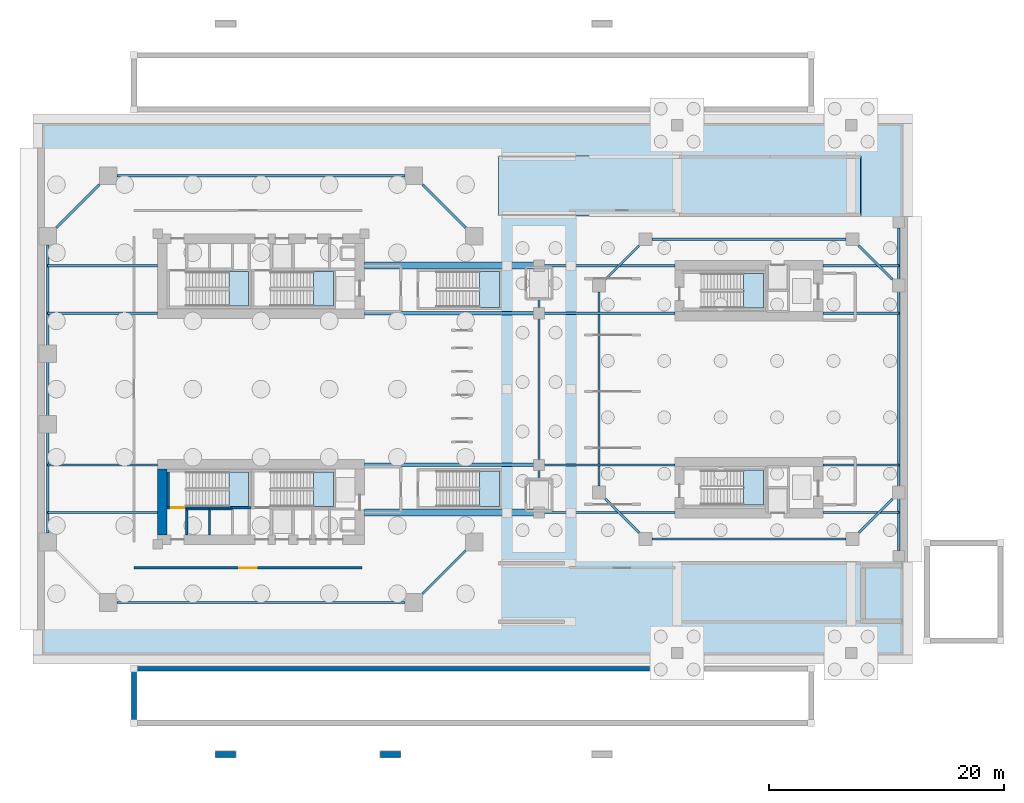
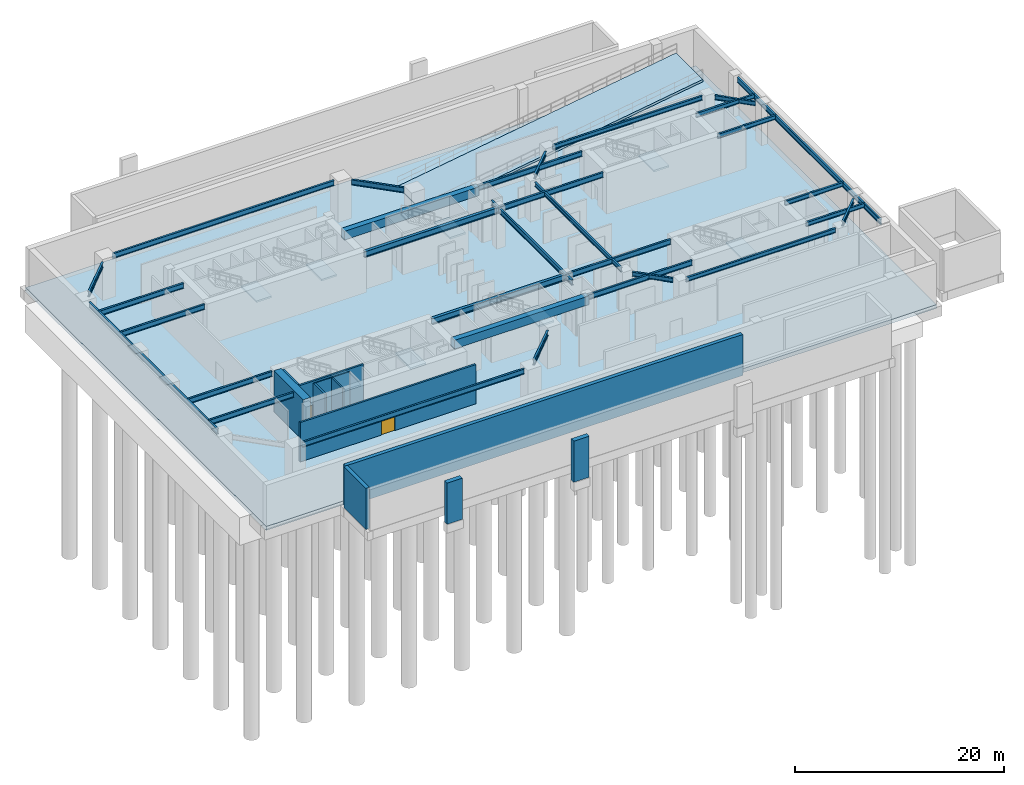
# One storey, part 3 of 13: 31 beams, 12 walls, 10 slabs, 2 doors, 2 openings, 8 elements without a shape of their own.
"""IFC4 building model written with IfcOpenShell, lengths in metres."""

from ifc_helpers import new_model, si_unit, direction, frame, frame_2d, origin, origin_2d, place, context, subcontext, project, spatial, polyline, rectangle, i_section, outline, extrude, source, transform, mapped, material, layer, layer_set, material_profile, profile_set, type_object, element, fill, aggregate, save


model = new_model("IFC4")

# Units and contexts
model_context = context("Model", 3, precision=1e-05, world=origin(), true_north=direction((0.0, 1.0)))
body_context = subcontext(model_context, "Body", "Model", "MODEL_VIEW")
ifc_project = project(units=[si_unit("LENGTHUNIT", "METRE"), si_unit("AREAUNIT", "SQUARE_METRE"), si_unit("VOLUMEUNIT", "CUBIC_METRE"), si_unit("PLANEANGLEUNIT", "RADIAN"), si_unit("MASSUNIT", "GRAM", prefix="KILO"), si_unit("THERMODYNAMICTEMPERATUREUNIT", "KELVIN"), si_unit("POWERUNIT", "WATT")], contexts=[model_context])

# Site, building, storey
site_placement = place(None, origin())
site = spatial("IfcSite", under=ifc_project, at=site_placement, CompositionType="ELEMENT")
building_placement = place(site_placement, origin())
building = spatial("IfcBuilding", under=site, at=building_placement, Name="Qiaomeng Ring Towers", CompositionType="ELEMENT")
storey_placement = place(building_placement, frame((0.0, 0.0, -9.60009765625)))
storey = spatial("IfcBuildingStorey", under=building, at=storey_placement, Name="B2", CompositionType="ELEMENT", Elevation=-9.60009765625)

# Beams
ifc_material_1 = material(Name="Concrete C60", Category="concrete")
ifc_material_profile_1 = material_profile(ifc_material_1, rectangle(XDim=0.60009765625, YDim=1.0, at=origin_2d()), Name="RC BM 600x1000")
ifc_profile_set_1 = profile_set([ifc_material_profile_1], Name="Concrete C60")
beam_type_1 = type_object("IfcBeamType", Name="STR-BM-RC1000", PredefinedType="LINTEL", material=ifc_profile_set_1)
shared_shape_1 = source(origin(), body_context, "Body", "SweptSolid", [
    extrude(rectangle(XDim=0.60009765625, YDim=1.0, at=origin_2d()), origin(), (0.0, 0.0, 1.0), 14.849853515625),
])
for number, where, z_axis, x_axis, name in (
    (1, (27.800048828125, 33.5, 4.080078125), (1.0, 0.0, 0.0), (0.0, 1.0, 0.0), "B2 beam STR-CB-B2-T1N"),
    (2, (27.800048828125, 12.5, 4.080078125), (1.0, 0.0, 0.0), (0.0, 1.0, 0.0), "B2 beam STR-CB-B2-T1S"),
):
    element("IfcBeam", number, at=place(storey_placement, frame(where, z_axis=z_axis, x_axis=x_axis)), inside=storey, type_object=beam_type_1, Name=name, PredefinedType="LINTEL", context=body_context, shape_type="MappedRepresentation", body=[
        mapped(shared_shape_1, transform((0.0, 0.0, 0.0), x_axis=(1.0, 0.0, 0.0), y_axis=(0.0, 1.0, 0.0), z_axis=(0.0, 0.0, 1.0), scale=1.0)),
    ])
ifc_material_2 = material(Name="Steel Q355B", Category="steel")
ifc_material_profile_2 = material_profile(ifc_material_2, i_section(OverallWidth=0.199951171875, OverallDepth=0.60009765625, WebThickness=0.010986328125, FlangeThickness=0.01708984375, FilletRadius=0.02197265625, at=origin_2d()), Name="HN 600x200x11x17")
ifc_profile_set_2 = profile_set([ifc_material_profile_2], Name="Steel Q355B")
beam_type_2 = type_object("IfcBeamType", Name="STR-BM-HN600", PredefinedType="BEAM", material=ifc_profile_set_2)
shared_shape_2 = source(origin(), body_context, "Body", "SweptSolid", [
    extrude(i_section(OverallWidth=0.199951171875, OverallDepth=0.60009765625, WebThickness=0.010986328125, FlangeThickness=0.01708984375, FilletRadius=0.02197265625, at=origin_2d()), origin(), (0.0, 0.0, 1.0), 24.501953125),
])
for number, where, z_axis, x_axis, name in (
    (3, (0.85009765625, 10.7490234375, 4.280029296875), (0.0, 1.0, 0.0), (-1.0, 0.0, 0.0), "B2 beam STR-SP-B2-WL"),
    (4, (6.7490234375, 4.85009765625, 4.280029296875), (1.0, 0.0, 0.0), (0.0, 1.0, 0.0), "B2 beam STR-SP-B2-T1-1"),
    (5, (31.2509765625, 41.14990234375, 4.280029296875), (-1.0, 0.0, 0.0), (0.0, -1.0, 0.0), "B2 beam STR-SP-B2-T1-4"),
):
    element("IfcBeam", number, at=place(storey_placement, frame(where, z_axis=z_axis, x_axis=x_axis)), inside=storey, type_object=beam_type_2, Name=name, PredefinedType="BEAM", context=body_context, shape_type="MappedRepresentation", body=[
        mapped(shared_shape_2, transform((0.0, 0.0, 0.0), x_axis=(1.0, 0.0, 0.0), y_axis=(0.0, 1.0, 0.0), z_axis=(0.0, 0.0, 1.0), scale=1.0)),
    ])
shared_shape_3 = source(origin(), body_context, "Body", "SweptSolid", [
    extrude(i_section(OverallWidth=0.199951171875, OverallDepth=0.60009765625, WebThickness=0.010986328125, FlangeThickness=0.01708984375, FilletRadius=0.02197265625, at=origin_2d()), origin(), (0.0, 0.0, 1.0), 27.4521484375),
])
beam_1_placement = place(storey_placement, frame((73.25, 9.27392578125, 4.280029296875), z_axis=(0.0, 1.0, 0.0), x_axis=(-1.0, 0.0, 0.0)))
element("IfcBeam", 6, at=beam_1_placement, inside=storey, type_object=beam_type_2, Name="B2 beam STR-SP-B2-EL", PredefinedType="BEAM", context=body_context, shape_type="MappedRepresentation", body=[
    mapped(shared_shape_3, transform((0.0, 0.0, 0.0), x_axis=(1.0, 0.0, 0.0), y_axis=(0.0, 1.0, 0.0), z_axis=(0.0, 0.0, 1.0), scale=1.0)),
])
shared_shape_4 = source(origin(), body_context, "Body", "SweptSolid", [
    extrude(i_section(OverallWidth=0.199951171875, OverallDepth=0.60009765625, WebThickness=0.010986328125, FlangeThickness=0.01708984375, FilletRadius=0.02197265625, at=origin_2d()), origin(), (0.0, 0.0, 1.0), 5.163818359375),
])
for number, where, z_axis, x_axis, name in (
    (7, (32.749267578125, 5.599365234375, 4.280029296875), (0.707106781187, 0.707106781187, 0.0), (-0.707106781187, 0.707106781187, 0.0), "B2 beam STR-SP-B2-T1-2"),
    (8, (36.400634765625, 36.749267578125, 4.280029296875), (-0.707106781187, 0.707106781187, 0.0), (-0.707106781187, -0.707106781187, 0.0), "B2 beam STR-SP-B2-T1-3"),
    (9, (5.250732421875, 40.400634765625, 4.280029296875), (-0.707106781187, -0.707106781187, 0.0), (0.707106781187, -0.707106781187, 0.0), "B2 beam STR-SP-B2-T1-5"),
):
    element("IfcBeam", number, at=place(storey_placement, frame(where, z_axis=z_axis, x_axis=x_axis)), inside=storey, type_object=beam_type_2, Name=name, PredefinedType="BEAM", context=body_context, shape_type="MappedRepresentation", body=[
        mapped(shared_shape_4, transform((0.0, 0.0, 0.0), x_axis=(1.0, 0.0, 0.0), y_axis=(0.0, 1.0, 0.0), z_axis=(0.0, 0.0, 1.0), scale=1.0)),
    ])
ifc_material_profile_3 = material_profile(ifc_material_2, i_section(OverallWidth=0.199951171875, OverallDepth=0.5, WebThickness=0.010009765625, FlangeThickness=0.01611328125, FilletRadius=0.02001953125, at=origin_2d()), Name="HN 500x200x10x16")
ifc_profile_set_3 = profile_set([ifc_material_profile_3], Name="Steel Q355B")
beam_type_3 = type_object("IfcBeamType", Name="STR-BM-HN500", PredefinedType="BEAM", material=ifc_profile_set_3)
shared_shape_5 = source(origin(), body_context, "Body", "SweptSolid", [
    extrude(i_section(OverallWidth=0.199951171875, OverallDepth=0.5, WebThickness=0.010009765625, FlangeThickness=0.01611328125, FilletRadius=0.02001953125, at=origin_2d()), origin(), (0.0, 0.0, 1.0), 4.032470703125),
])
for number, where, z_axis, x_axis, name in (
    (10, (48.29931640625, 13.650634765625, 4.330078125), (0.707106781187, -0.707106781187, 0.0), (0.707106781187, 0.707106781187, 0.0), "B2 beam STR-SP-B2-T2-0"),
    (11, (69.849365234375, 10.79931640625, 4.330078125), (0.707106781187, 0.707106781187, 0.0), (-0.707106781187, 0.707106781187, 0.0), "B2 beam STR-SP-B2-T2-2"),
    (12, (72.70068359375, 32.349365234375, 4.330078125), (-0.707106781187, 0.707106781187, 0.0), (-0.707106781187, -0.707106781187, 0.0), "B2 beam STR-SP-B2-T2-4"),
    (13, (51.150634765625, 35.20068359375, 4.330078125), (-0.707106781187, -0.707106781187, 0.0), (0.707106781187, -0.707106781187, 0.0), "B2 beam STR-SP-B2-T2-6"),
):
    element("IfcBeam", number, at=place(storey_placement, frame(where, z_axis=z_axis, x_axis=x_axis)), inside=storey, type_object=beam_type_3, Name=name, PredefinedType="BEAM", context=body_context, shape_type="MappedRepresentation", body=[
        mapped(shared_shape_5, transform((0.0, 0.0, 0.0), x_axis=(1.0, 0.0, 0.0), y_axis=(0.0, 1.0, 0.0), z_axis=(0.0, 0.0, 1.0), scale=1.0)),
    ])
shared_shape_6 = source(origin(), body_context, "Body", "SweptSolid", [
    extrude(i_section(OverallWidth=0.199951171875, OverallDepth=0.5, WebThickness=0.010009765625, FlangeThickness=0.01611328125, FilletRadius=0.02001953125, at=origin_2d()), origin(), (0.0, 0.0, 1.0), 16.501953125),
])
for number, where, z_axis, x_axis, name in (
    (14, (52.2490234375, 10.25, 4.330078125), (1.0, 0.0, 0.0), (0.0, 1.0, 0.0), "B2 beam STR-SP-B2-T2-1"),
    (15, (68.7509765625, 35.75, 4.330078125), (-1.0, 0.0, 0.0), (0.0, -1.0, 0.0), "B2 beam STR-SP-B2-T2-5"),
    (16, (47.75, 14.7490234375, 4.330078125), (0.0, 1.0, 0.0), (-1.0, 0.0, 0.0), "B2 beam STR-SP-B2-T2-7"),
):
    element("IfcBeam", number, at=place(storey_placement, frame(where, z_axis=z_axis, x_axis=x_axis)), inside=storey, type_object=beam_type_3, Name=name, PredefinedType="BEAM", context=body_context, shape_type="MappedRepresentation", body=[
        mapped(shared_shape_6, transform((0.0, 0.0, 0.0), x_axis=(1.0, 0.0, 0.0), y_axis=(0.0, 1.0, 0.0), z_axis=(0.0, 0.0, 1.0), scale=1.0)),
    ])
shared_shape_7 = source(origin(), body_context, "Body", "SweptSolid", [
    extrude(i_section(OverallWidth=0.199951171875, OverallDepth=0.60009765625, WebThickness=0.010986328125, FlangeThickness=0.01708984375, FilletRadius=0.02197265625, at=origin_2d()), origin(), (0.0, 0.0, 1.0), 15.39990234375),
])
beam_2_placement = place(storey_placement, frame((42.64990234375, 15.300048828125, 4.280029296875), z_axis=(0.0, 1.0, 0.0), x_axis=(-1.0, 0.0, 0.0)))
element("IfcBeam", 17, at=beam_2_placement, inside=storey, type_object=beam_type_2, Name="B2 beam STR-BM-B2-THROAT-N", PredefinedType="BEAM", context=body_context, shape_type="MappedRepresentation", body=[
    mapped(shared_shape_7, transform((0.0, 0.0, 0.0), x_axis=(1.0, 0.0, 0.0), y_axis=(0.0, 1.0, 0.0), z_axis=(0.0, 0.0, 1.0), scale=1.0)),
])
shared_shape_8 = source(origin(), body_context, "Body", "SweptSolid", [
    extrude(i_section(OverallWidth=0.199951171875, OverallDepth=0.60009765625, WebThickness=0.010986328125, FlangeThickness=0.01708984375, FilletRadius=0.02197265625, at=origin_2d()), origin(), (0.0, 0.0, 1.0), 9.349853515625),
])
for number, where, z_axis, x_axis, name in (
    (18, (0.85009765625, 12.5, 4.280029296875), (1.0, 0.0, 0.0), (0.0, 1.0, 0.0), "B2 beam STR-BM-B2-W-0"),
    (19, (0.85009765625, 16.550048828125, 4.280029296875), (1.0, 0.0, 0.0), (0.0, 1.0, 0.0), "B2 beam STR-BM-B2-W-1"),
    (20, (0.85009765625, 29.449951171875, 4.280029296875), (1.0, 0.0, 0.0), (0.0, 1.0, 0.0), "B2 beam STR-BM-B2-W-2"),
    (21, (0.85009765625, 33.5, 4.280029296875), (1.0, 0.0, 0.0), (0.0, 1.0, 0.0), "B2 beam STR-BM-B2-W-3"),
):
    element("IfcBeam", number, at=place(storey_placement, frame(where, z_axis=z_axis, x_axis=x_axis)), inside=storey, type_object=beam_type_2, Name=name, PredefinedType="BEAM", context=body_context, shape_type="MappedRepresentation", body=[
        mapped(shared_shape_8, transform((0.0, 0.0, 0.0), x_axis=(1.0, 0.0, 0.0), y_axis=(0.0, 1.0, 0.0), z_axis=(0.0, 0.0, 1.0), scale=1.0)),
    ])
shared_shape_9 = source(origin(), body_context, "Body", "SweptSolid", [
    extrude(i_section(OverallWidth=0.199951171875, OverallDepth=0.60009765625, WebThickness=0.010986328125, FlangeThickness=0.01708984375, FilletRadius=0.02197265625, at=origin_2d()), origin(), (0.0, 0.0, 1.0), 11.550048828125),
])
for number, where, z_axis, x_axis, name in (
    (22, (42.64990234375, 12.5, 4.280029296875), (1.0, 0.0, 0.0), (0.0, 1.0, 0.0), "B2 beam STR-BM-B2-M2-0"),
    (23, (42.64990234375, 16.550048828125, 4.280029296875), (1.0, 0.0, 0.0), (0.0, 1.0, 0.0), "B2 beam STR-BM-B2-M2-1"),
    (24, (42.64990234375, 29.449951171875, 4.280029296875), (1.0, 0.0, 0.0), (0.0, 1.0, 0.0), "B2 beam STR-BM-B2-M2-2"),
    (25, (42.64990234375, 33.5, 4.280029296875), (1.0, 0.0, 0.0), (0.0, 1.0, 0.0), "B2 beam STR-BM-B2-M2-3"),
):
    element("IfcBeam", number, at=place(storey_placement, frame(where, z_axis=z_axis, x_axis=x_axis)), inside=storey, type_object=beam_type_2, Name=name, PredefinedType="BEAM", context=body_context, shape_type="MappedRepresentation", body=[
        mapped(shared_shape_9, transform((0.0, 0.0, 0.0), x_axis=(1.0, 0.0, 0.0), y_axis=(0.0, 1.0, 0.0), z_axis=(0.0, 0.0, 1.0), scale=1.0)),
    ])
shared_shape_10 = source(origin(), body_context, "Body", "SweptSolid", [
    extrude(i_section(OverallWidth=0.199951171875, OverallDepth=0.5, WebThickness=0.010009765625, FlangeThickness=0.01611328125, FilletRadius=0.02001953125, at=origin_2d()), origin(), (0.0, 0.0, 1.0), 6.449951171875),
])
for number, where, z_axis, x_axis, name in (
    (26, (66.800048828125, 12.5, 4.330078125), (1.0, 0.0, 0.0), (0.0, 1.0, 0.0), "B2 beam STR-BM-B2-E-0"),
    (27, (66.800048828125, 16.550048828125, 4.330078125), (1.0, 0.0, 0.0), (0.0, 1.0, 0.0), "B2 beam STR-BM-B2-E-1"),
    (28, (66.800048828125, 29.449951171875, 4.330078125), (1.0, 0.0, 0.0), (0.0, 1.0, 0.0), "B2 beam STR-BM-B2-E-2"),
    (29, (66.800048828125, 33.5, 4.330078125), (1.0, 0.0, 0.0), (0.0, 1.0, 0.0), "B2 beam STR-BM-B2-E-3"),
):
    element("IfcBeam", number, at=place(storey_placement, frame(where, z_axis=z_axis, x_axis=x_axis)), inside=storey, type_object=beam_type_3, Name=name, PredefinedType="BEAM", context=body_context, shape_type="MappedRepresentation", body=[
        mapped(shared_shape_10, transform((0.0, 0.0, 0.0), x_axis=(1.0, 0.0, 0.0), y_axis=(0.0, 1.0, 0.0), z_axis=(0.0, 0.0, 1.0), scale=1.0)),
    ])
ifc_material_profile_4 = material_profile(ifc_material_2, i_section(OverallWidth=0.300048828125, OverallDepth=0.699951171875, WebThickness=0.012939453125, FlangeThickness=0.02392578125, FilletRadius=0.02392578125, at=origin_2d()), Name="HN 700x300x13x24")
ifc_profile_set_4 = profile_set([ifc_material_profile_4], Name="Steel Q355B")
beam_type_4 = type_object("IfcBeamType", Name="STR-BM-HN700", PredefinedType="BEAM", material=ifc_profile_set_4)
shared_shape_11 = source(origin(), body_context, "Body", "SweptSolid", [
    extrude(i_section(OverallWidth=0.300048828125, OverallDepth=0.699951171875, WebThickness=0.012939453125, FlangeThickness=0.02392578125, FilletRadius=0.02392578125, at=origin_2d()), origin(), (0.0, 0.0, 1.0), 14.849853515625),
])
for number, where, z_axis, x_axis, name in (
    (30, (27.800048828125, 16.550048828125, 4.22998046875), (1.0, 0.0, 0.0), (0.0, 1.0, 0.0), "B2 beam STR-BM-B2-M1-1"),
    (31, (27.800048828125, 29.449951171875, 4.22998046875), (1.0, 0.0, 0.0), (0.0, 1.0, 0.0), "B2 beam STR-BM-B2-M1-2"),
):
    element("IfcBeam", number, at=place(storey_placement, frame(where, z_axis=z_axis, x_axis=x_axis)), inside=storey, type_object=beam_type_4, Name=name, PredefinedType="BEAM", context=body_context, shape_type="MappedRepresentation", body=[
        mapped(shared_shape_11, transform((0.0, 0.0, 0.0), x_axis=(1.0, 0.0, 0.0), y_axis=(0.0, 1.0, 0.0), z_axis=(0.0, 0.0, 1.0), scale=1.0)),
    ])

# Slab
ifc_material_3 = material(Name="Concrete C40", Category="concrete")
ifc_layer_1 = layer(ifc_material_3, 0.449951171875, Name="Concrete C40")
ifc_layer_set_1 = layer_set([ifc_layer_1], Name="Concrete C40")
slab_type_1 = type_object("IfcSlabType", Name="STR-SL-BASE", PredefinedType="BASESLAB", material=ifc_layer_set_1)
slab_1_placement = place(storey_placement, frame((0.0, 0.0, -0.449951171875)))
element("IfcSlab", 32, at=slab_1_placement, inside=storey, type_object=slab_type_1, Name="B2 Structural Base Slab", PredefinedType="BASESLAB", context=body_context, shape_type="SweptSolid", body=[
    extrude(outline(polyline([(0.0, 0.0), (74.0, 0.0), (74.0, 46.0), (0.0, 46.0), (0.0, 0.0)]), holes=[polyline([(39.199951171875, 42.860107421875), (41.050048828125, 42.860107421875), (41.050048828125, 37.739990234375), (39.199951171875, 37.739990234375), (39.199951171875, 42.860107421875)])]), origin(), (0.0, 0.0, 1.0), 0.449951171875),
])

# Stair, slab
ifc_material_4 = material(Name="Precast concrete C40", Category="concrete")
stair_type_1 = type_object("IfcStairType", Name="ARC-ST-480", PredefinedType="HALF_TURN_STAIR", material=ifc_material_4)
stair_1_placement = place(storey_placement, origin())
stair_1 = element("IfcStair", 33, at=stair_1_placement, inside=storey, type_object=stair_type_1, Name="B2 Tower 1 North Stair 1", PredefinedType="HALF_TURN_STAIR")
ifc_layer_2 = layer(ifc_material_3, 0.199951171875, Name="Concrete C40")
ifc_layer_set_2 = layer_set([ifc_layer_2], Name="Concrete C40")
slab_type_2 = type_object("IfcSlabType", Name="STR-SL-LANDING", PredefinedType="LANDING", material=ifc_layer_set_2)
slab_2_placement = place(storey_placement, frame((0.0, 0.0, 2.2001953125)))
slab_2 = element("IfcSlab", 34, at=slab_2_placement, type_object=slab_type_2, Name="ST1 landing 1", PredefinedType="LANDING", context=body_context, shape_type="SweptSolid", body=[
    extrude(outline(polyline([(16.260009765625, 30.050048828125), (17.949951171875, 30.050048828125), (17.949951171875, 32.989990234375), (16.260009765625, 32.989990234375), (16.260009765625, 30.050048828125)])), origin(), (0.0, 0.0, 1.0), 0.199951171875),
])
aggregate(stair_1, [slab_2])

stair_2_placement = place(storey_placement, origin())
stair_2 = element("IfcStair", 35, at=stair_2_placement, inside=storey, type_object=stair_type_1, Name="B2 Tower 1 North Stair 2", PredefinedType="HALF_TURN_STAIR")
slab_3_placement = place(storey_placement, frame((0.0, 0.0, 2.2001953125)))
slab_3 = element("IfcSlab", 36, at=slab_3_placement, type_object=slab_type_2, Name="ST2 landing 1", PredefinedType="LANDING", context=body_context, shape_type="SweptSolid", body=[
    extrude(outline(polyline([(23.4599609375, 30.050048828125), (25.14990234375, 30.050048828125), (25.14990234375, 32.989990234375), (23.4599609375, 32.989990234375), (23.4599609375, 30.050048828125)])), origin(), (0.0, 0.0, 1.0), 0.199951171875),
])
aggregate(stair_2, [slab_3])

stair_3_placement = place(storey_placement, origin())
stair_3 = element("IfcStair", 37, at=stair_3_placement, inside=storey, type_object=stair_type_1, Name="B2 Tower 1 South Stair 3", PredefinedType="HALF_TURN_STAIR")
slab_4_placement = place(storey_placement, frame((0.0, 0.0, 2.2001953125)))
slab_4 = element("IfcSlab", 38, at=slab_4_placement, type_object=slab_type_2, Name="ST3 landing 1", PredefinedType="LANDING", context=body_context, shape_type="SweptSolid", body=[
    extrude(outline(polyline([(16.260009765625, 13.010009765625), (17.949951171875, 13.010009765625), (17.949951171875, 15.949951171875), (16.260009765625, 15.949951171875), (16.260009765625, 13.010009765625)])), origin(), (0.0, 0.0, 1.0), 0.199951171875),
])
aggregate(stair_3, [slab_4])

stair_4_placement = place(storey_placement, origin())
stair_4 = element("IfcStair", 39, at=stair_4_placement, inside=storey, type_object=stair_type_1, Name="B2 Tower 1 South Stair 4", PredefinedType="HALF_TURN_STAIR")
slab_5_placement = place(storey_placement, frame((0.0, 0.0, 2.2001953125)))
slab_5 = element("IfcSlab", 40, at=slab_5_placement, type_object=slab_type_2, Name="ST4 landing 1", PredefinedType="LANDING", context=body_context, shape_type="SweptSolid", body=[
    extrude(outline(polyline([(23.4599609375, 13.010009765625), (25.14990234375, 13.010009765625), (25.14990234375, 15.949951171875), (23.4599609375, 15.949951171875), (23.4599609375, 13.010009765625)])), origin(), (0.0, 0.0, 1.0), 0.199951171875),
])
aggregate(stair_4, [slab_5])

stair_5_placement = place(storey_placement, origin())
stair_5 = element("IfcStair", 41, at=stair_5_placement, inside=storey, type_object=stair_type_1, Name="B2 Companion North Stair 5", PredefinedType="HALF_TURN_STAIR")
slab_6_placement = place(storey_placement, frame((0.0, 0.0, 2.2001953125)))
slab_6 = element("IfcSlab", 42, at=slab_6_placement, type_object=slab_type_2, Name="ST5 landing 1", PredefinedType="LANDING", context=body_context, shape_type="SweptSolid", body=[
    extrude(outline(polyline([(60.06005859375, 29.89990234375), (61.75, 29.89990234375), (61.75, 32.840087890625), (60.06005859375, 32.840087890625), (60.06005859375, 29.89990234375)])), origin(), (0.0, 0.0, 1.0), 0.199951171875),
])
aggregate(stair_5, [slab_6])

stair_6_placement = place(storey_placement, origin())
stair_6 = element("IfcStair", 43, at=stair_6_placement, inside=storey, type_object=stair_type_1, Name="B2 Companion South Stair 6", PredefinedType="HALF_TURN_STAIR")
slab_7_placement = place(storey_placement, frame((0.0, 0.0, 2.2001953125)))
slab_7 = element("IfcSlab", 44, at=slab_7_placement, type_object=slab_type_2, Name="ST6 landing 1", PredefinedType="LANDING", context=body_context, shape_type="SweptSolid", body=[
    extrude(outline(polyline([(60.06005859375, 13.159912109375), (61.75, 13.159912109375), (61.75, 16.10009765625), (60.06005859375, 16.10009765625), (60.06005859375, 13.159912109375)])), origin(), (0.0, 0.0, 1.0), 0.199951171875),
])
aggregate(stair_6, [slab_7])

stair_type_2 = type_object("IfcStairType", Name="ARC-ST-POD", PredefinedType="HALF_TURN_STAIR", material=ifc_material_4)
stair_7_placement = place(storey_placement, origin())
stair_7 = element("IfcStair", 45, at=stair_7_placement, inside=storey, type_object=stair_type_2, Name="B2 Podium Clinic North Stair 7", PredefinedType="HALF_TURN_STAIR")
slab_8_placement = place(storey_placement, frame((0.0, 0.0, 2.2001953125)))
slab_8 = element("IfcSlab", 46, at=slab_8_placement, type_object=slab_type_2, Name="ST7 landing 1", PredefinedType="LANDING", context=body_context, shape_type="SweptSolid", body=[
    extrude(outline(polyline([(37.570068359375, 29.9599609375), (39.300048828125, 29.9599609375), (39.300048828125, 33.0), (37.570068359375, 33.0), (37.570068359375, 29.9599609375)])), origin(), (0.0, 0.0, 1.0), 0.199951171875),
])
aggregate(stair_7, [slab_8])

stair_8_placement = place(storey_placement, origin())
stair_8 = element("IfcStair", 47, at=stair_8_placement, inside=storey, type_object=stair_type_2, Name="B2 Podium Clinic South Stair 8", PredefinedType="HALF_TURN_STAIR")
slab_9_placement = place(storey_placement, frame((0.0, 0.0, 2.2001953125)))
slab_9 = element("IfcSlab", 48, at=slab_9_placement, type_object=slab_type_2, Name="ST8 landing 1", PredefinedType="LANDING", context=body_context, shape_type="SweptSolid", body=[
    extrude(outline(polyline([(37.570068359375, 13.0), (39.300048828125, 13.0), (39.300048828125, 16.0400390625), (37.570068359375, 16.0400390625), (37.570068359375, 13.0)])), origin(), (0.0, 0.0, 1.0), 0.199951171875),
])
aggregate(stair_8, [slab_9])

# Slab
ifc_layer_3 = layer(ifc_material_3, 0.280029296875, Name="Concrete C40")
ifc_layer_set_3 = layer_set([ifc_layer_3], Name="Concrete C40")
slab_type_3 = type_object("IfcSlabType", Name="STR-SL-VRAMP", PredefinedType="FLOOR", material=ifc_layer_set_3)
slab_10_placement = place(storey_placement, frame((39.2099609375, 37.75, 0.0), z_axis=(-0.154084489067, 0.0, 0.988057675558), x_axis=(0.988057675558, 0.0, 0.154084489067)))
element("IfcSlab", 49, at=slab_10_placement, inside=storey, type_object=slab_type_3, Name="Inter-Basement Car Park Vehicle Ramp Slab R2", PredefinedType="FLOOR", context=body_context, shape_type="SweptSolid", body=[
    extrude(outline(polyline([(0.0, 0.0), (31.152057271853938, 0.0), (31.152057271853938, 5.10009765625), (0.0, 5.10009765625), (0.0, 0.0)])), origin(), (0.0, 0.0, -1.0), 0.280029296875),
])

# Wall
ifc_material_5 = material(Name="Autoclaved aerated concrete block", Category="concrete")
ifc_layer_4 = layer(ifc_material_5, 0.199951171875, Name="Autoclaved aerated concrete block")
ifc_layer_set_4 = layer_set([ifc_layer_4], Name="Autoclaved aerated concrete block")
wall_type_1 = type_object("IfcWallType", Name="ARC-WL-PW1", PredefinedType="PARTITIONING", material=ifc_layer_set_4)
wall_1_placement = place(storey_placement, frame((12.679931640625, 10.60009765625, 0.0), z_axis=(0.0, 0.0, 1.0), x_axis=(0.0, 1.0, 0.0)))
element("IfcWall", 50, at=wall_1_placement, inside=storey, type_object=wall_type_1, Name="B2 Interior Wall PW1", PredefinedType="PARTITIONING", context=body_context, shape_type="SweptSolid", body=[
    extrude(rectangle(XDim=2.2099609375, YDim=0.199951171875, at=frame_2d((1.10498046875, 0.0))), origin(), (0.0, 0.0, 1.0), 4.580078125),
])

# Wall, opening, door
wall_2_placement = place(storey_placement, frame((8.199951171875, 7.800048828125, 0.0), z_axis=(0.0, 0.0, 1.0), x_axis=(1.0, 0.0, 0.0)))
wall_2 = element("IfcWall", 51, at=wall_2_placement, inside=storey, type_object=wall_type_1, Name="B2 Interior Wall PW1", PredefinedType="PARTITIONING", context=body_context, shape_type="SweptSolid", body=[
    extrude(rectangle(XDim=19.400146484375, YDim=0.199951171875, at=frame_2d((9.7001953125, 0.0))), origin(), (0.0, 0.0, 1.0), 4.580078125),
])
opening_1_placement = place(wall_2_placement, frame((8.949951171875, 0.0, 0.0)))
opening_1 = element("IfcOpeningElement", 52, at=opening_1_placement, cuts=wall_2, Name="Opening FD2", PredefinedType="OPENING", context=body_context, shape_type="SweptSolid", body=[
    extrude(rectangle(XDim=1.5, YDim=2.050048828125, at=frame_2d((0.75, 1.02490234375))), frame((0.0, 0.10986328125, 0.0), z_axis=(0.0, -1.0, 0.0), x_axis=(1.0, 0.0, 0.0)), (0.0, 0.0, 1.0), 0.219970703125),
])
ifc_material_6 = material(Name="Galvanised steel", Category="steel")
door_type_1 = type_object("IfcDoorType", Name="ARC-DR-FD2", OperationType="NOTDEFINED", PredefinedType="DOOR", material=ifc_material_6)
shared_shape_12 = source(origin(), body_context, "Body", "SweptSolid", [
    extrude(rectangle(XDim=1.5, YDim=2.050048828125, at=frame_2d((0.75, 1.02490234375))), frame((0.0, 0.02490234375, 0.0), z_axis=(0.0, -1.0, 0.0), x_axis=(1.0, 0.0, 0.0)), (0.0, 0.0, 1.0), 0.050048828125),
])
door_1_placement = place(opening_1_placement, origin())
door_1 = element("IfcDoor", 53, at=door_1_placement, inside=storey, type_object=door_type_1, Name="B2 Fire Sprinkler and Domestic Water Pump Room Door", OperationType="SINGLE_SWING_LEFT", OverallHeight=2.050048828125, OverallWidth=1.5, PredefinedType="DOOR", context=body_context, shape_type="MappedRepresentation", body=[
    mapped(shared_shape_12, transform((0.0, 0.0, 0.0), x_axis=(1.0, 0.0, 0.0), y_axis=(0.0, 1.0, 0.0), z_axis=(0.0, 0.0, 1.0), scale=1.0)),
])
fill(opening_1, door_1)

# Walls
ifc_layer_5 = layer(ifc_material_3, 0.39990234375, Name="Concrete C40")
ifc_layer_set_5 = layer_set([ifc_layer_5], Name="Concrete C40")
wall_type_2 = type_object("IfcWallType", Name="STR-WL-BW2", PredefinedType="SOLIDWALL", material=ifc_layer_set_5)
wall_3_placement = place(storey_placement, frame((8.199951171875, -0.780029296875, 0.0), z_axis=(0.0, 0.0, 1.0), x_axis=(1.0, 0.0, 0.0)))
element("IfcWall", 54, at=wall_3_placement, inside=storey, type_object=wall_type_2, Name="B2 Apron Retaining Plinth Wall PLZ-S-N1", PredefinedType="SOLIDWALL", context=body_context, shape_type="SweptSolid", body=[
    extrude(rectangle(XDim=43.85009765625, YDim=0.39990234375, at=frame_2d((21.925048828125, 0.0))), origin(), (0.0, 0.0, 1.0), 4.800048828125),
])
wall_4_placement = place(storey_placement, frame((8.199951171875, -5.199951171875, 0.0), z_axis=(0.0, 0.0, 1.0), x_axis=(0.0, 1.0, 0.0)))
element("IfcWall", 55, at=wall_4_placement, inside=storey, type_object=wall_type_2, Name="B2 Apron Retaining Plinth Wall PLZ-S-W", PredefinedType="SOLIDWALL", context=body_context, shape_type="SweptSolid", body=[
    extrude(rectangle(XDim=4.219970703125, YDim=0.39990234375, at=frame_2d((2.10986328125, 0.0))), origin(), (0.0, 0.0, 1.0), 4.800048828125),
])
for number, where, z_axis, x_axis, name in (
    (56, (15.14990234375, -8.072998046875, 0.0), (0.0, 0.0, 1.0), (1.0, 0.0, 0.0), "B2 AR1 Kerb Plinth"),
    (57, (29.14990234375, -8.072998046875, 0.0), (0.0, 0.0, 1.0), (1.0, 0.0, 0.0), "B2 AR5 Kerb Plinth"),
):
    element("IfcWall", number, at=place(storey_placement, frame(where, z_axis=z_axis, x_axis=x_axis)), inside=storey, type_object=wall_type_2, Name=name, PredefinedType="SOLIDWALL", context=body_context, shape_type="SweptSolid", body=[
        extrude(rectangle(XDim=1.7001953125, YDim=0.5, at=frame_2d((0.85009765625, 0.0))), origin(), (0.0, 0.0, 1.0), 4.800048828125),
    ])
ifc_layer_6 = layer(ifc_material_3, 0.199951171875, Name="Concrete C40")
ifc_layer_set_6 = layer_set([ifc_layer_6], Name="Concrete C40")
wall_type_3 = type_object("IfcWallType", Name="STR-WL-STSHAFT", PredefinedType="SHEAR", material=ifc_layer_set_6)
wall_5_placement = place(storey_placement, frame((12.679931640625, 12.800048828125, 0.0), z_axis=(0.0, 0.0, 1.0), x_axis=(1.0, 0.0, 0.0)))
element("IfcWall", 58, at=wall_5_placement, inside=storey, type_object=wall_type_3, Name="B2 Lift LP6 Shaft Back Wall", PredefinedType="SHEAR", context=body_context, shape_type="SweptSolid", body=[
    extrude(rectangle(XDim=1.940185546875, YDim=0.179931640625, at=frame_2d((0.97021484375, 0.0))), origin(), (0.0, 0.0, 1.0), 4.580078125),
])
wall_6_placement = place(storey_placement, frame((14.6201171875, 10.60009765625, 0.0), z_axis=(0.0, 0.0, 1.0), x_axis=(0.0, 1.0, 0.0)))
element("IfcWall", 59, at=wall_6_placement, inside=storey, type_object=wall_type_3, Name="B2 Lift LP6-LP4 Shaft Divider Wall", PredefinedType="SHEAR", context=body_context, shape_type="SweptSolid", body=[
    extrude(rectangle(XDim=2.199951171875, YDim=0.179931640625, at=frame_2d((1.10009765625, 0.0))), origin(), (0.0, 0.0, 1.0), 4.580078125),
])
wall_7_placement = place(storey_placement, frame((14.6201171875, 12.800048828125, 0.0), z_axis=(0.0, 0.0, 1.0), x_axis=(1.0, 0.0, 0.0)))
element("IfcWall", 60, at=wall_7_placement, inside=storey, type_object=wall_type_3, Name="B2 Lift LP4 Shaft Back Wall", PredefinedType="SHEAR", context=body_context, shape_type="SweptSolid", body=[
    extrude(rectangle(XDim=1.9599609375, YDim=0.179931640625, at=frame_2d((0.97998046875, 0.0))), origin(), (0.0, 0.0, 1.0), 4.580078125),
])

# Wall, opening, door
wall_8_placement = place(storey_placement, frame((11.0, 12.909912109375, 0.0), z_axis=(0.0, 0.0, 1.0), x_axis=(1.0, 0.0, 0.0)))
wall_8 = element("IfcWall", 61, at=wall_8_placement, inside=storey, type_object=wall_type_3, Name="B2 Stair ST3 South Shaft Shear Wall", PredefinedType="SHEAR", context=body_context, shape_type="SweptSolid", body=[
    extrude(rectangle(XDim=7.14990234375, YDim=0.199951171875, at=frame_2d((3.574951171875, 0.0))), origin(), (0.0, 0.0, 1.0), 4.800048828125),
])
opening_2_placement = place(wall_8_placement, frame((0.35009765625, 0.0, 0.0)))
opening_2 = element("IfcOpeningElement", 62, at=opening_2_placement, cuts=wall_8, Name="Opening FD3", PredefinedType="OPENING", context=body_context, shape_type="SweptSolid", body=[
    extrude(rectangle(XDim=1.10009765625, YDim=2.050048828125, at=frame_2d((0.550048828125, 1.02490234375))), frame((0.0, 0.10986328125, 0.0), z_axis=(0.0, -1.0, 0.0), x_axis=(1.0, 0.0, 0.0)), (0.0, 0.0, 1.0), 0.219970703125),
])
door_type_2 = type_object("IfcDoorType", Name="ARC-DR-FD3", OperationType="NOTDEFINED", PredefinedType="DOOR", material=ifc_material_6)
shared_shape_13 = source(origin(), body_context, "Body", "SweptSolid", [
    extrude(rectangle(XDim=1.10009765625, YDim=2.050048828125, at=frame_2d((0.550048828125, 1.02490234375))), frame((0.0, 0.02490234375, 0.0), z_axis=(0.0, -1.0, 0.0), x_axis=(1.0, 0.0, 0.0)), (0.0, 0.0, 1.0), 0.050048828125),
])
door_2_placement = place(opening_2_placement, frame((1.10009765625, 0.0, 0.0), z_axis=(0.0, 0.0, 1.0), x_axis=(-1.0, 0.0, 0.0)))
door_2 = element("IfcDoor", 63, at=door_2_placement, inside=storey, type_object=door_type_2, Name="B2 Stair ST3 Exit Door", OperationType="SINGLE_SWING_RIGHT", OverallHeight=2.050048828125, OverallWidth=1.10009765625, PredefinedType="DOOR", context=body_context, shape_type="MappedRepresentation", body=[
    mapped(shared_shape_13, transform((0.0, 0.0, 0.0), x_axis=(1.0, 0.0, 0.0), y_axis=(0.0, 1.0, 0.0), z_axis=(0.0, 0.0, 1.0), scale=1.0)),
])
fill(opening_2, door_2)

# Walls
wall_9_placement = place(storey_placement, frame((11.10009765625, 13.010009765625, 0.0), z_axis=(0.0, 0.0, 1.0), x_axis=(0.0, 1.0, 0.0)))
element("IfcWall", 64, at=wall_9_placement, inside=storey, type_object=wall_type_3, Name="B2 Stair ST3 West Shaft Shear Wall", PredefinedType="SHEAR", context=body_context, shape_type="SweptSolid", body=[
    extrude(rectangle(XDim=2.93994140625, YDim=0.199951171875, at=frame_2d((1.469970703125, 0.0))), origin(), (0.0, 0.0, 1.0), 4.800048828125),
])
ifc_layer_7 = layer(ifc_material_1, 0.800048828125, Name="Concrete C60")
ifc_layer_set_7 = layer_set([ifc_layer_7], Name="Concrete C60")
wall_type_4 = type_object("IfcWallType", Name="STR-WL-SW1", PredefinedType="SHEAR", material=ifc_layer_set_7)
wall_10_placement = place(storey_placement, frame((10.60009765625, 10.60009765625, 0.0), z_axis=(0.0, 0.0, 1.0), x_axis=(0.0, 1.0, 0.0)))
element("IfcWall", 65, at=wall_10_placement, inside=storey, type_object=wall_type_4, Name="B2 T1SC west core shear wall", PredefinedType="SHEAR", context=body_context, shape_type="SweptSolid", body=[
    extrude(rectangle(XDim=5.599853515625, YDim=0.800048828125, at=frame_2d((2.7998046875, 0.0))), origin(), (0.0, 0.0, 1.0), 4.800048828125),
])

save(model, "model.ifc")
